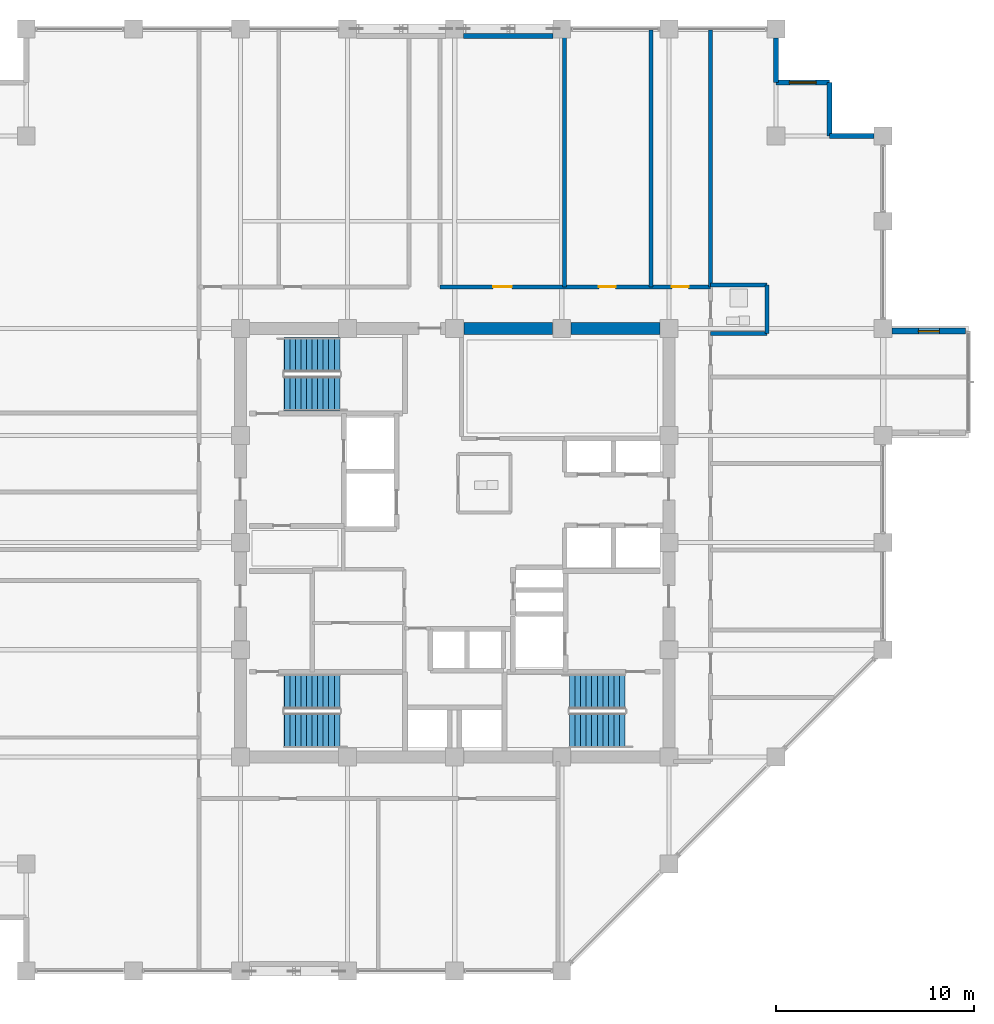
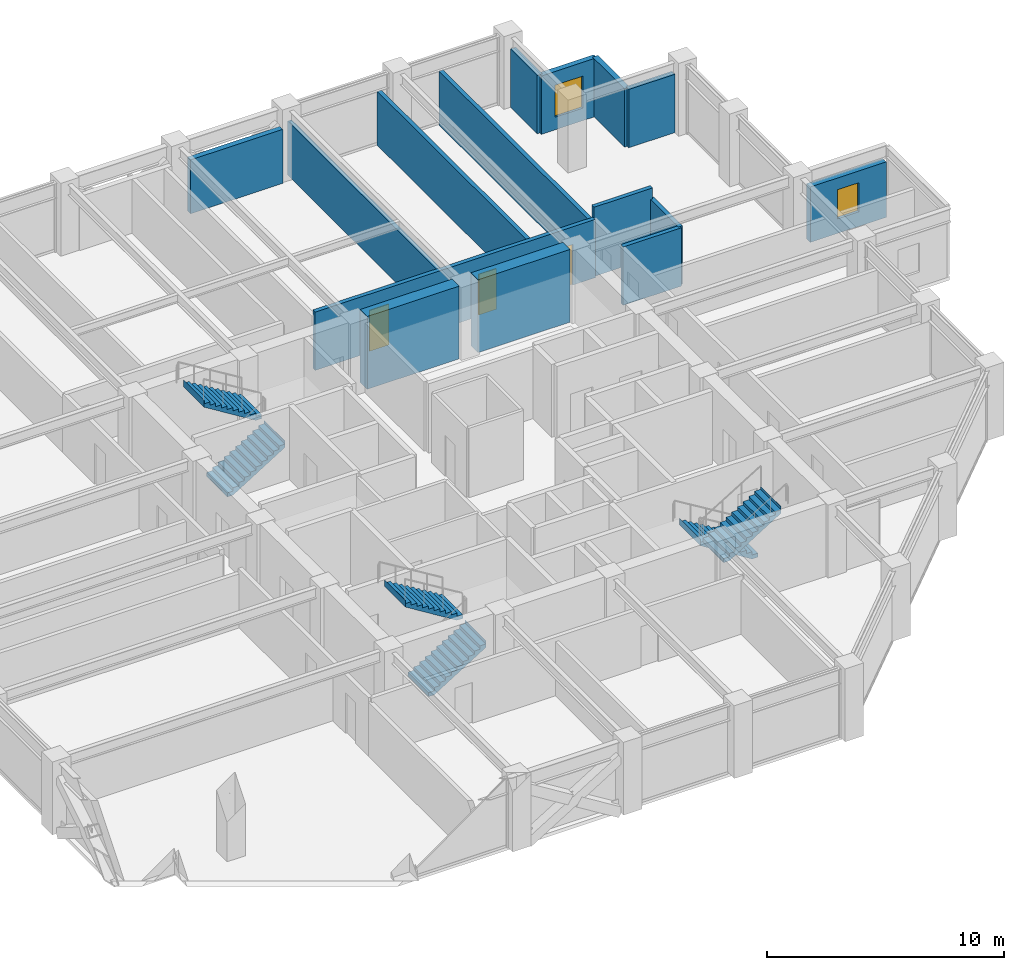
# One storey, part 25 of 28: 15 walls, 6 stair flights, 3 doors, 2 windows, 5 openings, 3 elements without a shape of their own.
"""IFC4 building model written with IfcOpenShell, lengths in metres."""

from ifc_helpers import new_model, si_unit, direction, frame, frame_2d, origin, place, context, subcontext, project, spatial, polyline, rectangle, outline, extrude, material, layer, layer_set, type_object, element, fill, aggregate, save


model = new_model("IFC4")

# Units and contexts
model_context = context("Model", 3, precision=1e-05, world=origin(), true_north=direction((0.0, 1.0)))
body_context = subcontext(model_context, "Body", "Model", "MODEL_VIEW")
ifc_project = project(units=[si_unit("LENGTHUNIT", "METRE"), si_unit("AREAUNIT", "SQUARE_METRE"), si_unit("VOLUMEUNIT", "CUBIC_METRE"), si_unit("PLANEANGLEUNIT", "RADIAN"), si_unit("MASSUNIT", "GRAM", prefix="KILO")], contexts=[model_context])

# Site, building, storey
site_placement = place(None, origin())
site = spatial("IfcSite", under=ifc_project, at=site_placement, CompositionType="ELEMENT")
building_placement = place(site_placement, origin())
building = spatial("IfcBuilding", under=site, at=building_placement, Name="Surkhivell Harbour Commons", CompositionType="ELEMENT")
storey_placement = place(building_placement, frame((0.0, 0.0, 178.5)))
storey = spatial("IfcBuildingStorey", under=building, at=storey_placement, Name="L46", CompositionType="ELEMENT", Elevation=178.5)

# Walls
ifc_material_1 = material(Name="Concrete C60/75", Category="concrete")
ifc_layer_1 = layer(ifc_material_1, 0.60009765625)
ifc_layer_set_1 = layer_set([ifc_layer_1], Name="Concrete C60/75")
wall_type_1 = type_object("IfcWallType", Name="WAL-CORE-600", PredefinedType="SHEAR", material=ifc_layer_set_1)
for number, where, z_axis, x_axis, name in (
    (1, (0.4599609375, 10.800048828125, 0.0), (0.0, 0.0, 1.0), (1.0, 0.0, 0.0), "L46 Core Shear Wall North 3"),
    (2, (5.860107421875, 10.800048828125, 0.0), (0.0, 0.0, 1.0), (1.0, 0.0, 0.0), "L46 Core Shear Wall North 4"),
):
    element("IfcWall", number, at=place(storey_placement, frame(where, z_axis=z_axis, x_axis=x_axis)), inside=storey, type_object=wall_type_1, Name=name, PredefinedType="SHEAR", context=body_context, shape_type="SweptSolid", body=[
        extrude(rectangle(XDim=4.47998046875, YDim=0.60009765625, at=frame_2d((2.239990234375, 0.0))), origin(), (0.0, 0.0, 1.0), 3.75),
    ])

# Wall, opening, window
ifc_material_2 = material(Name="Flemish-bond kiln brick and precast concrete C45/55", Category="masonry")
ifc_layer_2 = layer(ifc_material_2, 0.300048828125)
ifc_layer_set_2 = layer_set([ifc_layer_2], Name="Flemish-bond kiln brick and precast concrete C45/55")
wall_type_2 = type_object("IfcWallType", Name="WAL-EXT-BRK300", PredefinedType="STANDARD", material=ifc_layer_set_2)
wall_1_placement = place(storey_placement, frame((22.053955078125, 10.659912109375, 0.0), z_axis=(0.0, 0.0, 1.0), x_axis=(1.0, 0.0, 0.0)))
wall_1 = element("IfcWall", 3, at=wall_1_placement, inside=storey, type_object=wall_type_2, Name="L46 Coloured Box Return Wall 01N", PredefinedType="STANDARD", context=body_context, shape_type="SweptSolid", body=[
    extrude(rectangle(XDim=3.7060546875, YDim=0.300048828125, at=frame_2d((1.85302734375, 0.0))), origin(), (0.0, 0.0, 1.0), 2.85693359375),
])
opening_1_placement = place(wall_1_placement, frame((1.327880859375, 0.0, 0.75)))
opening_1 = element("IfcOpeningElement", 4, at=opening_1_placement, cuts=wall_1, Name="Opening WN-11", PredefinedType="OPENING", context=body_context, shape_type="SweptSolid", body=[
    extrude(rectangle(XDim=1.050048828125, YDim=1.5, at=frame_2d((0.52490234375, 0.75))), frame((0.0, 0.159912109375, 0.0), z_axis=(0.0, -1.0, 0.0), x_axis=(1.0, 0.0, 0.0)), (0.0, 0.0, 1.0), 0.320068359375),
])
ifc_material_3 = material(Name="Thermal-break aluminium frame and double low-E glazing", Category="aluminium")
window_type_1 = type_object("IfcWindowType", Name="WIN-SER-1050x1500", PartitioningType="SINGLE_PANEL", PredefinedType="WINDOW", material=ifc_material_3)
window_1_placement = place(opening_1_placement, origin())
window_1 = element("IfcWindow", 5, at=window_1_placement, inside=storey, type_object=window_type_1, Name="L46 Coloured Box Return Window 01N", OverallHeight=1.5, OverallWidth=1.050048828125, PartitioningType="SINGLE_PANEL", PredefinedType="WINDOW", context=body_context, shape_type="SweptSolid", body=[
    extrude(rectangle(XDim=1.050048828125, YDim=1.5, at=frame_2d((0.52490234375, 0.75))), frame((0.0, 0.030029296875, 0.0), z_axis=(0.0, -1.0, 0.0), x_axis=(1.0, 0.0, 0.0)), (0.0, 0.0, 1.0), 0.06005859375),
])
fill(opening_1, window_1)

# Walls
ifc_material_4 = material(Name="Pale-metal insulated precast concrete C45/55", Category="concrete")
ifc_layer_3 = layer(ifc_material_4, 0.260009765625)
ifc_layer_set_3 = layer_set([ifc_layer_3], Name="Pale-metal insulated precast concrete C45/55")
wall_type_3 = type_object("IfcWallType", Name="WAL-EXT-MTL260", PredefinedType="STANDARD", material=ifc_layer_set_3)
wall_2_placement = place(storey_placement, frame((21.152099609375, 20.5, 0.0), z_axis=(0.0, 0.0, 1.0), x_axis=(-1.0, 0.0, 0.0)))
element("IfcWall", 6, at=wall_2_placement, inside=storey, type_object=wall_type_3, Name="L46 Serrated Corner Facade Wall 03", PredefinedType="STANDARD", context=body_context, shape_type="SweptSolid", body=[
    extrude(rectangle(XDim=2.252197265625, YDim=0.260009765625, at=frame_2d((1.1259765625, 0.0))), origin(), (0.0, 0.0, 1.0), 3.006103515625),
])
wall_3_placement = place(storey_placement, frame((18.89990234375, 20.5, 0.0), z_axis=(0.0, 0.0, 1.0), x_axis=(0.0, 1.0, 0.0)))
element("IfcWall", 7, at=wall_3_placement, inside=storey, type_object=wall_type_3, Name="L46 Serrated Corner Facade Wall 04", PredefinedType="STANDARD", context=body_context, shape_type="SweptSolid", body=[
    extrude(rectangle(XDim=2.699951171875, YDim=0.260009765625, at=frame_2d((1.35009765625, 0.0))), origin(), (0.0, 0.0, 1.0), 3.006103515625),
])

# Wall, opening, window
wall_4_placement = place(storey_placement, frame((18.89990234375, 23.199951171875, 0.0), z_axis=(0.0, 0.0, 1.0), x_axis=(-1.0, 0.0, 0.0)))
wall_4 = element("IfcWall", 8, at=wall_4_placement, inside=storey, type_object=wall_type_3, Name="L46 Serrated Corner Facade Wall 05", PredefinedType="STANDARD", context=body_context, shape_type="SweptSolid", body=[
    extrude(rectangle(XDim=2.699951171875, YDim=0.260009765625, at=frame_2d((1.35009765625, 0.0))), origin(), (0.0, 0.0, 1.0), 3.006103515625),
])
opening_2_placement = place(wall_4_placement, frame((0.675048828125, 0.0, 0.64990234375)))
opening_2 = element("IfcOpeningElement", 9, at=opening_2_placement, cuts=wall_4, Name="Opening WN-08", PredefinedType="OPENING", context=body_context, shape_type="SweptSolid", body=[
    extrude(rectangle(XDim=1.35009765625, YDim=1.64990234375, at=frame_2d((0.675048828125, 0.824951171875))), frame((0.0, 0.139892578125, 0.0), z_axis=(0.0, -1.0, 0.0), x_axis=(1.0, 0.0, 0.0)), (0.0, 0.0, 1.0), 0.280029296875),
])
window_type_2 = type_object("IfcWindowType", Name="WIN-SER-1350x1650", PartitioningType="SINGLE_PANEL", PredefinedType="WINDOW", material=ifc_material_3)
window_2_placement = place(opening_2_placement, origin())
window_2 = element("IfcWindow", 10, at=window_2_placement, inside=storey, type_object=window_type_2, Name="L46 Serrated Alcove Window 05", OverallHeight=1.64990234375, OverallWidth=1.35009765625, PartitioningType="SINGLE_PANEL", PredefinedType="WINDOW", context=body_context, shape_type="SweptSolid", body=[
    extrude(rectangle(XDim=1.35009765625, YDim=1.64990234375, at=frame_2d((0.675048828125, 0.824951171875))), frame((0.0, 0.030029296875, 0.0), z_axis=(0.0, -1.0, 0.0), x_axis=(1.0, 0.0, 0.0)), (0.0, 0.0, 1.0), 0.06005859375),
])
fill(opening_2, window_2)

# Walls
wall_5_placement = place(storey_placement, frame((16.199951171875, 23.199951171875, 0.0), z_axis=(0.0, 0.0, 1.0), x_axis=(0.0, 1.0, 0.0)))
element("IfcWall", 11, at=wall_5_placement, inside=storey, type_object=wall_type_3, Name="L46 Serrated Corner Facade Wall 06", PredefinedType="STANDARD", context=body_context, shape_type="SweptSolid", body=[
    extrude(rectangle(XDim=2.251953125, YDim=0.260009765625, at=frame_2d((1.1259765625, 0.0))), origin(), (0.0, 0.0, 1.0), 3.006103515625),
])
wall_6_placement = place(storey_placement, frame((4.951904296875, 25.5400390625, 0.0), z_axis=(0.0, 0.0, 1.0), x_axis=(-1.0, 0.0, 0.0)))
element("IfcWall", 12, at=wall_6_placement, inside=storey, type_object=wall_type_3, Name="L46 Braced-Bay Insulated Spandrel Backing N2", PredefinedType="STANDARD", context=body_context, shape_type="SweptSolid", body=[
    extrude(rectangle(XDim=4.50390625, YDim=0.260009765625, at=frame_2d((2.251953125, 0.0))), origin(), (0.0, 0.0, 1.0), 2.780029296875),
])
ifc_material_5 = material(Name="Autoclaved aerated concrete blockwork and fire plaster", Category="masonry")
ifc_layer_4 = layer(ifc_material_5, 0.199951171875)
ifc_layer_set_4 = layer_set([ifc_layer_4], Name="Autoclaved aerated concrete blockwork and fire plaster")
wall_type_4 = type_object("IfcWallType", Name="WAL-INT-200", PredefinedType="PARTITIONING", material=ifc_layer_set_4)
wall_7_placement = place(storey_placement, frame((12.89990234375, 12.89990234375, 0.0), z_axis=(0.0, 0.0, 1.0), x_axis=(0.0, 1.0, 0.0)))
element("IfcWall", 13, at=wall_7_placement, inside=storey, type_object=wall_type_4, Name="L46 North-East Corner Wall", PredefinedType="PARTITIONING", context=body_context, shape_type="SweptSolid", body=[
    extrude(rectangle(XDim=12.940185546875, YDim=0.199951171875, at=frame_2d((6.47021484375, 0.0))), origin(), (0.0, 0.0, 1.0), 2.780029296875),
])

# Wall, openings, doors
wall_8_placement = place(storey_placement, frame((-0.75, 12.89990234375, 0.0), z_axis=(0.0, 0.0, 1.0), x_axis=(1.0, 0.0, 0.0)))
wall_8 = element("IfcWall", 14, at=wall_8_placement, inside=storey, type_object=wall_type_4, Name="L46 Corridor North-East Wall", PredefinedType="PARTITIONING", context=body_context, shape_type="SweptSolid", body=[
    extrude(rectangle(XDim=13.64990234375, YDim=0.199951171875, at=frame_2d((6.824951171875, 0.0))), origin(), (0.0, 0.0, 1.0), 3.006103515625),
])
opening_3_placement = place(wall_8_placement, frame((2.68994140625, 0.0, 0.0)))
opening_3 = element("IfcOpeningElement", 15, at=opening_3_placement, cuts=wall_8, Name="Opening ID-4", PredefinedType="OPENING", context=body_context, shape_type="SweptSolid", body=[
    extrude(rectangle(XDim=0.949951171875, YDim=2.10009765625, at=frame_2d((0.47509765625, 1.050048828125))), frame((0.0, 0.10986328125, 0.0), z_axis=(0.0, -1.0, 0.0), x_axis=(1.0, 0.0, 0.0)), (0.0, 0.0, 1.0), 0.219970703125),
])
opening_4_placement = place(wall_8_placement, frame((8.014892578125, 0.0, 0.0)))
opening_4 = element("IfcOpeningElement", 16, at=opening_4_placement, cuts=wall_8, Name="Opening ID-6", PredefinedType="OPENING", context=body_context, shape_type="SweptSolid", body=[
    extrude(rectangle(XDim=0.85009765625, YDim=2.10009765625, at=frame_2d((0.425048828125, 1.050048828125))), frame((0.0, 0.10986328125, 0.0), z_axis=(0.0, -1.0, 0.0), x_axis=(1.0, 0.0, 0.0)), (0.0, 0.0, 1.0), 0.219970703125),
])
opening_5_placement = place(wall_8_placement, frame((11.699951171875, 0.0, 0.0)))
opening_5 = element("IfcOpeningElement", 17, at=opening_5_placement, cuts=wall_8, Name="Opening ID-6", PredefinedType="OPENING", context=body_context, shape_type="SweptSolid", body=[
    extrude(rectangle(XDim=0.85009765625, YDim=2.10009765625, at=frame_2d((0.425048828125, 1.050048828125))), frame((0.0, 0.10986328125, 0.0), z_axis=(0.0, -1.0, 0.0), x_axis=(1.0, 0.0, 0.0)), (0.0, 0.0, 1.0), 0.219970703125),
])
ifc_material_6 = material(Name="Hardwood-veneered fire-rated door leaf", Category="wood")
door_type_1 = type_object("IfcDoorType", Name="DOR-FD30-850", OperationType="NOTDEFINED", PredefinedType="DOOR", material=ifc_material_6)
door_1_placement = place(opening_4_placement, origin())
door_1 = element("IfcDoor", 18, at=door_1_placement, inside=storey, type_object=door_type_1, Name="L46 Resident Social Lounge 2 North-East Door", OperationType="SINGLE_SWING_RIGHT", OverallHeight=2.10009765625, OverallWidth=0.85009765625, PredefinedType="DOOR", context=body_context, shape_type="SweptSolid", body=[
    extrude(rectangle(XDim=0.85009765625, YDim=2.10009765625, at=frame_2d((0.425048828125, 1.050048828125))), frame((0.0, 0.02490234375, 0.0), z_axis=(0.0, -1.0, 0.0), x_axis=(1.0, 0.0, 0.0)), (0.0, 0.0, 1.0), 0.050048828125),
])
fill(opening_4, door_1)
door_2_placement = place(opening_5_placement, origin())
door_2 = element("IfcDoor", 19, at=door_2_placement, inside=storey, type_object=door_type_1, Name="L46 Resident Social Lounge 3 North-East Door", OperationType="SINGLE_SWING_LEFT", OverallHeight=2.10009765625, OverallWidth=0.85009765625, PredefinedType="DOOR", context=body_context, shape_type="SweptSolid", body=[
    extrude(rectangle(XDim=0.85009765625, YDim=2.10009765625, at=frame_2d((0.425048828125, 1.050048828125))), frame((0.0, 0.02490234375, 0.0), z_axis=(0.0, -1.0, 0.0), x_axis=(1.0, 0.0, 0.0)), (0.0, 0.0, 1.0), 0.050048828125),
])
fill(opening_5, door_2)
door_type_2 = type_object("IfcDoorType", Name="DOR-FD60-950", OperationType="NOTDEFINED", PredefinedType="DOOR", material=ifc_material_6)
door_3_placement = place(opening_3_placement, origin())
door_3 = element("IfcDoor", 20, at=door_3_placement, inside=storey, type_object=door_type_2, Name="L46 Resident Social Lounge 1 North-East Door", OperationType="SINGLE_SWING_LEFT", OverallHeight=2.10009765625, OverallWidth=0.949951171875, PredefinedType="DOOR", context=body_context, shape_type="SweptSolid", body=[
    extrude(rectangle(XDim=0.949951171875, YDim=2.10009765625, at=frame_2d((0.47509765625, 1.050048828125))), frame((0.0, 0.02490234375, 0.0), z_axis=(0.0, -1.0, 0.0), x_axis=(1.0, 0.0, 0.0)), (0.0, 0.0, 1.0), 0.050048828125),
])
fill(opening_3, door_3)

# Walls
wall_9_placement = place(storey_placement, frame((15.75, 10.550048828125, 0.0), z_axis=(0.0, 0.0, 1.0), x_axis=(0.0, 1.0, 0.0)))
element("IfcWall", 21, at=wall_9_placement, inside=storey, type_object=wall_type_4, Name="L46 East Partition BTHB", PredefinedType="PARTITIONING", context=body_context, shape_type="SweptSolid", body=[
    extrude(rectangle(XDim=2.449951171875, YDim=0.199951171875, at=frame_2d((1.22509765625, 0.0))), origin(), (0.0, 0.0, 1.0), 3.006103515625),
])
wall_10_placement = place(storey_placement, frame((12.89990234375, 13.0, 0.0), z_axis=(0.0, 0.0, 1.0), x_axis=(1.0, 0.0, 0.0)))
element("IfcWall", 22, at=wall_10_placement, inside=storey, type_object=wall_type_4, Name="L46 East Partition BTHN", PredefinedType="PARTITIONING", context=body_context, shape_type="SweptSolid", body=[
    extrude(rectangle(XDim=2.85009765625, YDim=0.199951171875, at=frame_2d((1.425048828125, 0.0))), origin(), (0.0, 0.0, 1.0), 3.570068359375),
])
wall_11_placement = place(storey_placement, frame((12.89990234375, 10.550048828125, 0.0), z_axis=(0.0, 0.0, 1.0), x_axis=(1.0, 0.0, 0.0)))
element("IfcWall", 23, at=wall_11_placement, inside=storey, type_object=wall_type_4, Name="L46 East Partition BTHS", PredefinedType="PARTITIONING", context=body_context, shape_type="SweptSolid", body=[
    extrude(rectangle(XDim=2.85009765625, YDim=0.199951171875, at=frame_2d((1.425048828125, 0.0))), origin(), (0.0, 0.0, 1.0), 3.006103515625),
])
for number, where, z_axis, x_axis, name in (
    (24, (5.530029296875, 12.89990234375, 0.0), (0.0, 0.0, 1.0), (0.0, 1.0, 0.0), "L46 North-East Partition P1"),
    (25, (9.89990234375, 12.89990234375, 0.0), (0.0, 0.0, 1.0), (0.0, 1.0, 0.0), "L46 North-East Partition P2"),
):
    element("IfcWall", number, at=place(storey_placement, frame(where, z_axis=z_axis, x_axis=x_axis)), inside=storey, type_object=wall_type_4, Name=name, PredefinedType="PARTITIONING", context=body_context, shape_type="SweptSolid", body=[
        extrude(rectangle(XDim=12.940185546875, YDim=0.199951171875, at=frame_2d((6.47021484375, 0.0))), origin(), (0.0, 0.0, 1.0), 2.780029296875),
    ])

# Stair, stair flights
ifc_material_7 = material(Name="Precast concrete C45/55", Category="concrete")
stair_type = type_object("IfcStairType", Name="STR-DL-375", PredefinedType="HALF_TURN_STAIR", material=ifc_material_7)
stair_1_placement = place(storey_placement, origin())
stair_1 = element("IfcStair", 26, at=stair_1_placement, inside=storey, type_object=stair_type, Name="L46 Core Exit Stair ST1", PredefinedType="HALF_TURN_STAIR")
stair_flight_type = type_object("IfcStairFlightType", Name="STF-DL-375", PredefinedType="STRAIGHT", material=ifc_material_7)
stair_flight_1_placement = place(storey_placement, frame((-8.590087890625, 7.514892578125, 0.0), z_axis=(0.0, 0.0, 1.0), x_axis=(1.0, 0.0, 0.0)))
stair_flight_1 = element("IfcStairFlight", 27, at=stair_flight_1_placement, type_object=stair_flight_type, Name="ST1 flight 1", NumberOfRisers=11, NumberOfTreads=10, PredefinedType="STRAIGHT", RiserHeight=0.170454545, TreadLength=0.28, context=body_context, shape_type="SweptSolid", body=[
    extrude(outline(polyline([(-0.0029296875, -0.034912109375), (-0.0029296875, 0.0), (0.0, 0.0), (0.0, 0.17041015625), (0.280029296875, 0.17041015625), (0.280029296875, 0.3408203125), (0.56005859375, 0.3408203125), (0.56005859375, 0.511474609375), (0.840087890625, 0.511474609375), (0.840087890625, 0.681884765625), (1.1201171875, 0.681884765625), (1.1201171875, 0.852294921875), (1.39990234375, 0.852294921875), (1.39990234375, 1.022705078125), (1.679931640625, 1.022705078125), (1.679931640625, 1.193115234375), (1.9599609375, 1.193115234375), (1.9599609375, 1.363525390625), (2.239990234375, 1.363525390625), (2.239990234375, 1.5341796875), (2.52001953125, 1.5341796875), (2.52001953125, 1.70458984375), (2.800048828125, 1.70458984375), (2.800048828125, 1.875), (2.802978515625, 1.875), (2.802978515625, 1.529052734375), (0.288330078125, -0.034912109375), (-0.0029296875, -0.034912109375)])), frame((0.0, 0.875, 0.0), z_axis=(0.0, -1.0, 0.0), x_axis=(1.0, 0.0, 0.0)), (0.0, 0.0, 1.0), 1.75),
])
stair_flight_2_placement = place(storey_placement, frame((-5.7900390625, 9.465087890625, 1.875), z_axis=(0.0, 0.0, 1.0), x_axis=(-1.0, 0.0, 0.0)))
stair_flight_2 = element("IfcStairFlight", 28, at=stair_flight_2_placement, type_object=stair_flight_type, Name="ST1 flight 2", NumberOfRisers=11, NumberOfTreads=10, PredefinedType="STRAIGHT", RiserHeight=0.170454545, TreadLength=0.28, context=body_context, shape_type="SweptSolid", body=[
    extrude(outline(polyline([(-0.0029296875, -0.034912109375), (-0.0029296875, 0.0), (0.0, 0.0), (0.0, 0.17041015625), (0.280029296875, 0.17041015625), (0.280029296875, 0.3408203125), (0.56005859375, 0.3408203125), (0.56005859375, 0.511474609375), (0.840087890625, 0.511474609375), (0.840087890625, 0.681884765625), (1.1201171875, 0.681884765625), (1.1201171875, 0.852294921875), (1.39990234375, 0.852294921875), (1.39990234375, 1.022705078125), (1.679931640625, 1.022705078125), (1.679931640625, 1.193115234375), (1.9599609375, 1.193115234375), (1.9599609375, 1.363525390625), (2.239990234375, 1.363525390625), (2.239990234375, 1.5341796875), (2.52001953125, 1.5341796875), (2.52001953125, 1.70458984375), (2.800048828125, 1.70458984375), (2.800048828125, 1.875), (2.802978515625, 1.875), (2.802978515625, 1.529052734375), (0.288330078125, -0.034912109375), (-0.0029296875, -0.034912109375)])), frame((0.0, 0.875, 0.0), z_axis=(0.0, -1.0, 0.0), x_axis=(1.0, 0.0, 0.0)), (0.0, 0.0, 1.0), 1.75),
])
aggregate(stair_1, [stair_flight_1, stair_flight_2])

stair_2_placement = place(storey_placement, origin())
stair_2 = element("IfcStair", 29, at=stair_2_placement, inside=storey, type_object=stair_type, Name="L46 Core Exit Stair ST2", PredefinedType="HALF_TURN_STAIR")
stair_flight_3_placement = place(storey_placement, frame((8.590087890625, -7.514892578125, 0.0), z_axis=(0.0, 0.0, 1.0), x_axis=(-1.0, 0.0, 0.0)))
stair_flight_3 = element("IfcStairFlight", 30, at=stair_flight_3_placement, type_object=stair_flight_type, Name="ST2 flight 1", NumberOfRisers=11, NumberOfTreads=10, PredefinedType="STRAIGHT", RiserHeight=0.170454545, TreadLength=0.28, context=body_context, shape_type="SweptSolid", body=[
    extrude(outline(polyline([(-0.0029296875, -0.034912109375), (-0.0029296875, 0.0), (0.0, 0.0), (0.0, 0.17041015625), (0.280029296875, 0.17041015625), (0.280029296875, 0.3408203125), (0.56005859375, 0.3408203125), (0.56005859375, 0.511474609375), (0.840087890625, 0.511474609375), (0.840087890625, 0.681884765625), (1.1201171875, 0.681884765625), (1.1201171875, 0.852294921875), (1.39990234375, 0.852294921875), (1.39990234375, 1.022705078125), (1.679931640625, 1.022705078125), (1.679931640625, 1.193115234375), (1.9599609375, 1.193115234375), (1.9599609375, 1.363525390625), (2.239990234375, 1.363525390625), (2.239990234375, 1.5341796875), (2.52001953125, 1.5341796875), (2.52001953125, 1.70458984375), (2.800048828125, 1.70458984375), (2.800048828125, 1.875), (2.802978515625, 1.875), (2.802978515625, 1.529052734375), (0.288330078125, -0.034912109375), (-0.0029296875, -0.034912109375)])), frame((0.0, 0.875, 0.0), z_axis=(0.0, -1.0, 0.0), x_axis=(1.0, 0.0, 0.0)), (0.0, 0.0, 1.0), 1.75),
])
stair_flight_4_placement = place(storey_placement, frame((5.7900390625, -9.465087890625, 1.875), z_axis=(0.0, 0.0, 1.0), x_axis=(1.0, 0.0, 0.0)))
stair_flight_4 = element("IfcStairFlight", 31, at=stair_flight_4_placement, type_object=stair_flight_type, Name="ST2 flight 2", NumberOfRisers=11, NumberOfTreads=10, PredefinedType="STRAIGHT", RiserHeight=0.170454545, TreadLength=0.28, context=body_context, shape_type="SweptSolid", body=[
    extrude(outline(polyline([(-0.0029296875, -0.034912109375), (-0.0029296875, 0.0), (0.0, 0.0), (0.0, 0.17041015625), (0.280029296875, 0.17041015625), (0.280029296875, 0.3408203125), (0.56005859375, 0.3408203125), (0.56005859375, 0.511474609375), (0.840087890625, 0.511474609375), (0.840087890625, 0.681884765625), (1.1201171875, 0.681884765625), (1.1201171875, 0.852294921875), (1.39990234375, 0.852294921875), (1.39990234375, 1.022705078125), (1.679931640625, 1.022705078125), (1.679931640625, 1.193115234375), (1.9599609375, 1.193115234375), (1.9599609375, 1.363525390625), (2.239990234375, 1.363525390625), (2.239990234375, 1.5341796875), (2.52001953125, 1.5341796875), (2.52001953125, 1.70458984375), (2.800048828125, 1.70458984375), (2.800048828125, 1.875), (2.802978515625, 1.875), (2.802978515625, 1.529052734375), (0.288330078125, -0.034912109375), (-0.0029296875, -0.034912109375)])), frame((0.0, 0.875, 0.0), z_axis=(0.0, -1.0, 0.0), x_axis=(1.0, 0.0, 0.0)), (0.0, 0.0, 1.0), 1.75),
])
aggregate(stair_2, [stair_flight_3, stair_flight_4])

stair_3_placement = place(storey_placement, origin())
stair_3 = element("IfcStair", 32, at=stair_3_placement, inside=storey, type_object=stair_type, Name="L46 Core Exit Stair ST3", PredefinedType="HALF_TURN_STAIR")
stair_flight_5_placement = place(storey_placement, frame((-8.590087890625, -9.465087890625, 0.0), z_axis=(0.0, 0.0, 1.0), x_axis=(1.0, 0.0, 0.0)))
stair_flight_5 = element("IfcStairFlight", 33, at=stair_flight_5_placement, type_object=stair_flight_type, Name="ST3 flight 1", NumberOfRisers=11, NumberOfTreads=10, PredefinedType="STRAIGHT", RiserHeight=0.170454545, TreadLength=0.28, context=body_context, shape_type="SweptSolid", body=[
    extrude(outline(polyline([(-0.0029296875, -0.034912109375), (-0.0029296875, 0.0), (0.0, 0.0), (0.0, 0.17041015625), (0.280029296875, 0.17041015625), (0.280029296875, 0.3408203125), (0.56005859375, 0.3408203125), (0.56005859375, 0.511474609375), (0.840087890625, 0.511474609375), (0.840087890625, 0.681884765625), (1.1201171875, 0.681884765625), (1.1201171875, 0.852294921875), (1.39990234375, 0.852294921875), (1.39990234375, 1.022705078125), (1.679931640625, 1.022705078125), (1.679931640625, 1.193115234375), (1.9599609375, 1.193115234375), (1.9599609375, 1.363525390625), (2.239990234375, 1.363525390625), (2.239990234375, 1.5341796875), (2.52001953125, 1.5341796875), (2.52001953125, 1.70458984375), (2.800048828125, 1.70458984375), (2.800048828125, 1.875), (2.802978515625, 1.875), (2.802978515625, 1.529052734375), (0.288330078125, -0.034912109375), (-0.0029296875, -0.034912109375)])), frame((0.0, 0.875, 0.0), z_axis=(0.0, -1.0, 0.0), x_axis=(1.0, 0.0, 0.0)), (0.0, 0.0, 1.0), 1.75),
])
stair_flight_6_placement = place(storey_placement, frame((-5.7900390625, -7.514892578125, 1.875), z_axis=(0.0, 0.0, 1.0), x_axis=(-1.0, 0.0, 0.0)))
stair_flight_6 = element("IfcStairFlight", 34, at=stair_flight_6_placement, type_object=stair_flight_type, Name="ST3 flight 2", NumberOfRisers=11, NumberOfTreads=10, PredefinedType="STRAIGHT", RiserHeight=0.170454545, TreadLength=0.28, context=body_context, shape_type="SweptSolid", body=[
    extrude(outline(polyline([(-0.0029296875, -0.034912109375), (-0.0029296875, 0.0), (0.0, 0.0), (0.0, 0.17041015625), (0.280029296875, 0.17041015625), (0.280029296875, 0.3408203125), (0.56005859375, 0.3408203125), (0.56005859375, 0.511474609375), (0.840087890625, 0.511474609375), (0.840087890625, 0.681884765625), (1.1201171875, 0.681884765625), (1.1201171875, 0.852294921875), (1.39990234375, 0.852294921875), (1.39990234375, 1.022705078125), (1.679931640625, 1.022705078125), (1.679931640625, 1.193115234375), (1.9599609375, 1.193115234375), (1.9599609375, 1.363525390625), (2.239990234375, 1.363525390625), (2.239990234375, 1.5341796875), (2.52001953125, 1.5341796875), (2.52001953125, 1.70458984375), (2.800048828125, 1.70458984375), (2.800048828125, 1.875), (2.802978515625, 1.875), (2.802978515625, 1.529052734375), (0.288330078125, -0.034912109375), (-0.0029296875, -0.034912109375)])), frame((0.0, 0.875, 0.0), z_axis=(0.0, -1.0, 0.0), x_axis=(1.0, 0.0, 0.0)), (0.0, 0.0, 1.0), 1.75),
])
aggregate(stair_3, [stair_flight_5, stair_flight_6])

save(model, "model.ifc")
